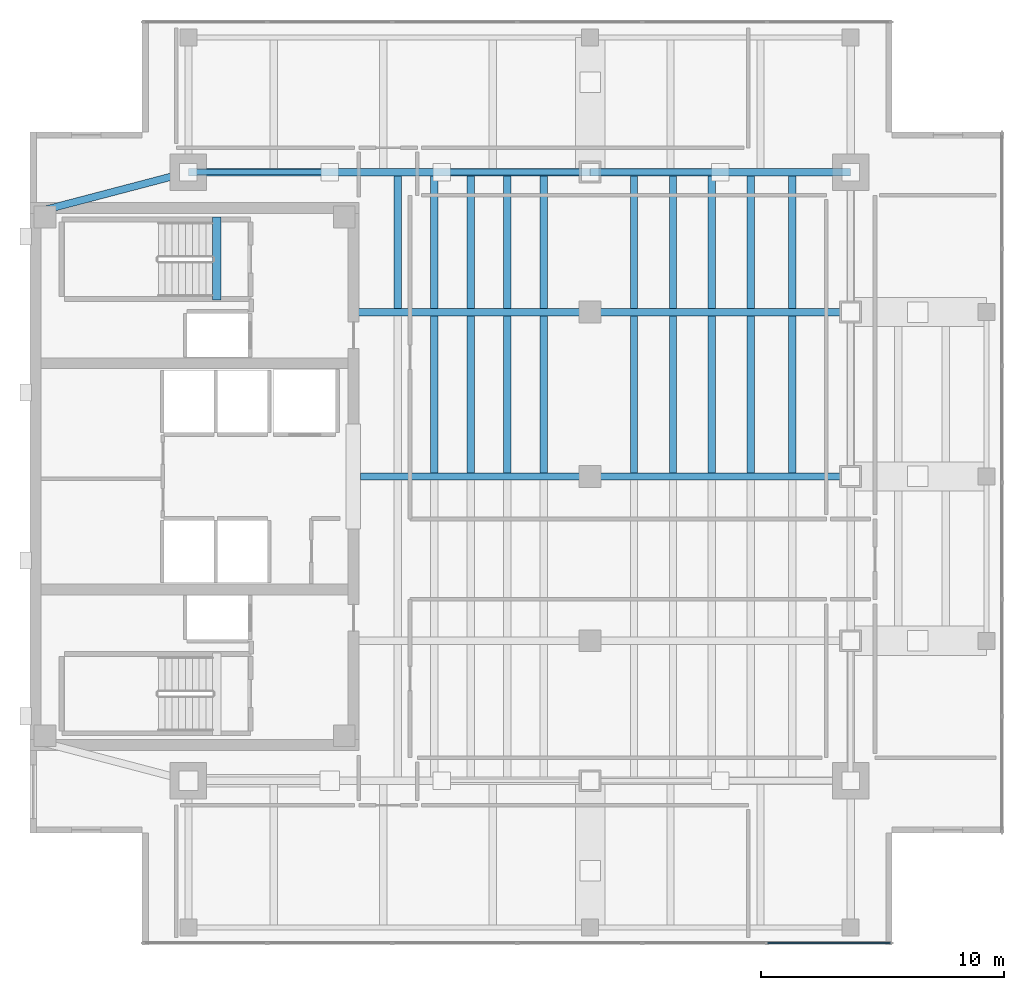
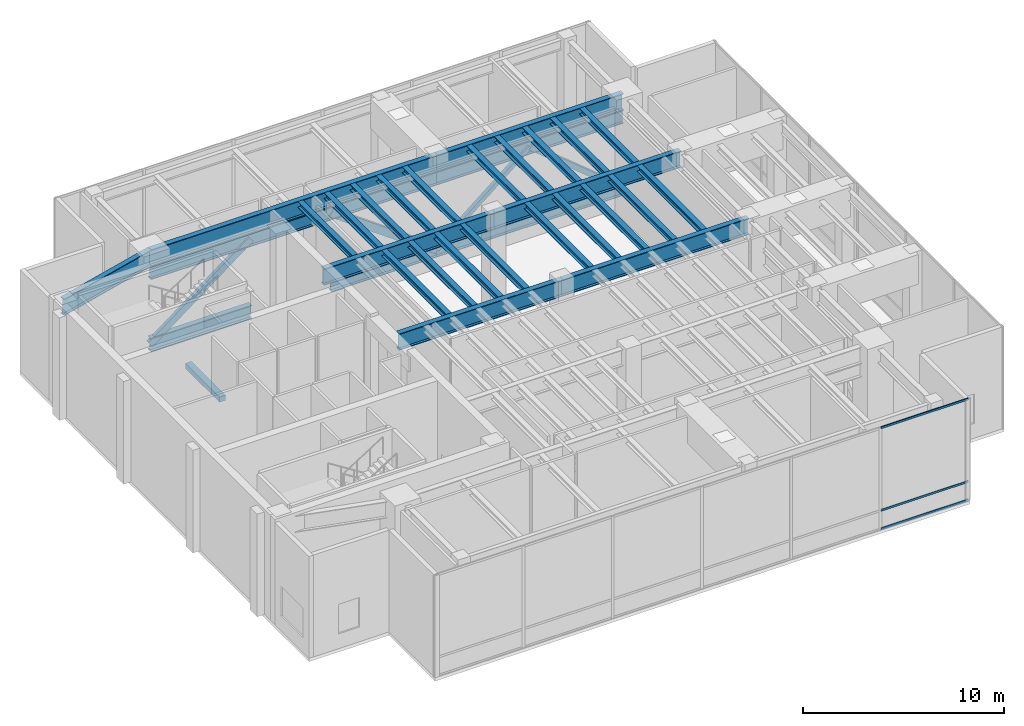
# One storey, part 4 of 11: 27 beams, 12 members, 1 element without a shape of its own.
"""IFC4 building model written with IfcOpenShell, lengths in metres."""

from ifc_helpers import new_model, si_unit, direction, frame, origin, origin_2d, place, context, subcontext, project, spatial, rectangle, hollow_rectangle, i_section, extrude, material, layer, layer_set, material_profile, profile_set, type_object, element, aggregate, save


model = new_model("IFC4")

# Units and contexts
model_context = context("Model", 3, precision=1e-05, world=origin(), true_north=direction((0.0, 1.0)))
body_context = subcontext(model_context, "Body", "Model", "MODEL_VIEW")
ifc_project = project(units=[si_unit("LENGTHUNIT", "METRE"), si_unit("AREAUNIT", "SQUARE_METRE"), si_unit("VOLUMEUNIT", "CUBIC_METRE"), si_unit("PLANEANGLEUNIT", "RADIAN"), si_unit("MASSUNIT", "GRAM", prefix="KILO")], contexts=[model_context])

# Site, building, storey
site_placement = place(None, origin())
site = spatial("IfcSite", under=ifc_project, at=site_placement, CompositionType="ELEMENT")
building_placement = place(site_placement, origin())
building = spatial("IfcBuilding", under=site, at=building_placement, Name="Kinhvarn Gate Tower", CompositionType="ELEMENT")
storey_placement = place(building_placement, frame((0.0, 0.0, 296.64990234375)))
storey = spatial("IfcBuildingStorey", under=building, at=storey_placement, Name="L79", CompositionType="ELEMENT", Elevation=296.64990234375)

# Beams
ifc_material_1 = material(Name="Steel S355", Category="steel")
ifc_material_profile_1 = material_profile(ifc_material_1, i_section(OverallWidth=0.300048828125, OverallDepth=1.0, WebThickness=0.01904296875, FlangeThickness=0.035888671875, at=origin_2d()), Name="HEB 1000")
ifc_profile_set_1 = profile_set([ifc_material_profile_1], Name="Steel S355")
beam_type_1 = type_object("IfcBeamType", Name="BM-HEB1000", PredefinedType="BEAM", material=ifc_profile_set_1)
beam_1_placement = place(storey_placement, frame((11.0, 37.75, 5.7001953125), z_axis=(1.0, 0.0, 0.0), x_axis=(0.0, 1.0, 0.0)))
element("IfcBeam", 1, at=beam_1_placement, inside=storey, type_object=beam_type_1, Name="Floor Beam HG-21 (L79 MG-N1)", PredefinedType="BEAM", context=body_context, shape_type="SweptSolid", body=[
    extrude(i_section(OverallWidth=0.300048828125, OverallDepth=1.0, WebThickness=0.01904296875, FlangeThickness=0.035888671875, at=origin_2d()), origin(), (0.0, 0.0, 1.0), 16.5),
])
beam_2_placement = place(storey_placement, frame((27.5, 37.75, 5.7001953125), z_axis=(1.0, 0.0, 0.0), x_axis=(0.0, 1.0, 0.0)))
element("IfcBeam", 2, at=beam_2_placement, inside=storey, type_object=beam_type_1, Name="Floor Beam HG-21 (L79 MG-N2)", PredefinedType="BEAM", context=body_context, shape_type="SweptSolid", body=[
    extrude(i_section(OverallWidth=0.300048828125, OverallDepth=1.0, WebThickness=0.01904296875, FlangeThickness=0.035888671875, at=origin_2d()), origin(), (0.0, 0.0, 1.0), 10.699951171875),
])
beam_3_placement = place(storey_placement, frame((5.10009765625, 36.199951171875, 5.7001953125), z_axis=(0.967177623957, 0.254101246979, 0.0), x_axis=(-0.254101246979, 0.967177623957, 0.0)))
element("IfcBeam", 3, at=beam_3_placement, inside=storey, type_object=beam_type_1, Name="Floor Beam HG-21 (L79 MG-NW-DIAG)", PredefinedType="BEAM", context=body_context, shape_type="SweptSolid", body=[
    extrude(i_section(OverallWidth=0.300048828125, OverallDepth=1.0, WebThickness=0.01904296875, FlangeThickness=0.035888671875, at=origin_2d()), origin(), (0.0, 0.0, 1.0), 6.10009765625),
])
beam_4_placement = place(storey_placement, frame((18.074951171875, 25.25, 5.7001953125), z_axis=(1.0, 0.0, 0.0), x_axis=(0.0, 1.0, 0.0)))
element("IfcBeam", 4, at=beam_4_placement, inside=storey, type_object=beam_type_1, Name="Floor Beam HG-21 (L79 EW1A-Y25)", PredefinedType="BEAM", context=body_context, shape_type="SweptSolid", body=[
    extrude(i_section(OverallWidth=0.300048828125, OverallDepth=1.0, WebThickness=0.01904296875, FlangeThickness=0.035888671875, at=origin_2d()), origin(), (0.0, 0.0, 1.0), 9.425048828125),
])
beam_5_placement = place(storey_placement, frame((27.5, 25.25, 5.7001953125), z_axis=(1.0, 0.0, 0.0), x_axis=(0.0, 1.0, 0.0)))
element("IfcBeam", 5, at=beam_5_placement, inside=storey, type_object=beam_type_1, Name="Floor Beam HG-21 (L79 EW1B-Y25)", PredefinedType="BEAM", context=body_context, shape_type="SweptSolid", body=[
    extrude(i_section(OverallWidth=0.300048828125, OverallDepth=1.0, WebThickness=0.01904296875, FlangeThickness=0.035888671875, at=origin_2d()), origin(), (0.0, 0.0, 1.0), 10.699951171875),
])
beam_6_placement = place(storey_placement, frame((17.64990234375, 32.0, 5.7001953125), z_axis=(1.0, 0.0, 0.0), x_axis=(0.0, 1.0, 0.0)))
element("IfcBeam", 6, at=beam_6_placement, inside=storey, type_object=beam_type_1, Name="Floor Beam HG-21 (L79 EW1A-Y32)", PredefinedType="BEAM", context=body_context, shape_type="SweptSolid", body=[
    extrude(i_section(OverallWidth=0.300048828125, OverallDepth=1.0, WebThickness=0.01904296875, FlangeThickness=0.035888671875, at=origin_2d()), origin(), (0.0, 0.0, 1.0), 9.85009765625),
])
beam_7_placement = place(storey_placement, frame((27.5, 32.0, 5.7001953125), z_axis=(1.0, 0.0, 0.0), x_axis=(0.0, 1.0, 0.0)))
element("IfcBeam", 7, at=beam_7_placement, inside=storey, type_object=beam_type_1, Name="Floor Beam HG-21 (L79 EW1B-Y32)", PredefinedType="BEAM", context=body_context, shape_type="SweptSolid", body=[
    extrude(i_section(OverallWidth=0.300048828125, OverallDepth=1.0, WebThickness=0.01904296875, FlangeThickness=0.035888671875, at=origin_2d()), origin(), (0.0, 0.0, 1.0), 10.699951171875),
])
ifc_material_2 = material(Name="Concrete C50/60", Category="concrete")
ifc_material_profile_2 = material_profile(ifc_material_2, rectangle(XDim=0.340087890625, YDim=0.320068359375, at=origin_2d()), Name="RC 340x320")
ifc_profile_set_2 = profile_set([ifc_material_profile_2], Name="Concrete C50/60")
beam_type_2 = type_object("IfcBeamType", Name="BM-LND-500", PredefinedType="BEAM", material=ifc_profile_set_2)
beam_8_placement = place(storey_placement, frame((12.1650390625, 32.5, -0.159912109375), z_axis=(0.0, 1.0, 0.0), x_axis=(-1.0, 0.0, 0.0)))
element("IfcBeam", 8, at=beam_8_placement, inside=storey, type_object=beam_type_2, Name="Stair ST2 Landing Nosing Beam (L79)", PredefinedType="BEAM", context=body_context, shape_type="SweptSolid", body=[
    extrude(rectangle(XDim=0.340087890625, YDim=0.320068359375, at=origin_2d()), origin(), (0.0, 0.0, 1.0), 3.39990234375),
])

# Curtain wall, members
ifc_material_3 = material(Name="Anodised aluminium AW-6063", Category="aluminium")
ifc_layer = layer(ifc_material_3, 0.199951171875)
ifc_layer_set = layer_set([ifc_layer], Name="Anodised aluminium AW-6063")
curtain_wall_type = type_object("IfcCurtainWallType", Name="CW-SYS-6", PredefinedType="NOTDEFINED", material=ifc_layer_set)
curtain_wall_placement = place(storey_placement, origin())
curtain_wall = element("IfcCurtainWall", 9, at=curtain_wall_placement, inside=storey, type_object=curtain_wall_type, Name="Curtain Wall CW6 (L79)", PredefinedType="NOTDEFINED")
ifc_material_profile_3 = material_profile(ifc_material_3, rectangle(XDim=0.06494140625, YDim=0.1201171875, at=origin_2d()), Name="ALU 65x120")
ifc_profile_set_3 = profile_set([ifc_material_profile_3], Name="Anodised aluminium AW-6063")
member_type_1 = type_object("IfcMemberType", Name="CW-TRN-120", PredefinedType="USERDEFINED", material=ifc_profile_set_3)
member_1_placement = place(storey_placement, frame((34.799072265625, 6.090087890625, 0.03271484375), z_axis=(1.0, 0.0, 0.0), x_axis=(0.0, 1.0, 0.0)))
member_1 = element("IfcMember", 10, at=member_1_placement, type_object=member_type_1, Name="CW6 transom 6.1", ObjectType="TRANSOM", PredefinedType="USERDEFINED", context=body_context, shape_type="SweptSolid", body=[
    extrude(rectangle(XDim=0.06494140625, YDim=0.1201171875, at=origin_2d()), origin(), (0.0, 0.0, 1.0), 5.035888671875),
])
member_2_placement = place(storey_placement, frame((34.799072265625, 6.090087890625, 1.150146484375), z_axis=(1.0, 0.0, 0.0), x_axis=(0.0, 1.0, 0.0)))
member_2 = element("IfcMember", 11, at=member_2_placement, type_object=member_type_1, Name="CW6 transom 6.2", ObjectType="TRANSOM", PredefinedType="USERDEFINED", context=body_context, shape_type="SweptSolid", body=[
    extrude(rectangle(XDim=0.06494140625, YDim=0.1201171875, at=origin_2d()), origin(), (0.0, 0.0, 1.0), 5.035888671875),
])
member_3_placement = place(storey_placement, frame((34.799072265625, 6.090087890625, 6.16748046875), z_axis=(1.0, 0.0, 0.0), x_axis=(0.0, 1.0, 0.0)))
member_3 = element("IfcMember", 12, at=member_3_placement, type_object=member_type_1, Name="CW6 transom 6.3", ObjectType="TRANSOM", PredefinedType="USERDEFINED", context=body_context, shape_type="SweptSolid", body=[
    extrude(rectangle(XDim=0.06494140625, YDim=0.1201171875, at=origin_2d()), origin(), (0.0, 0.0, 1.0), 5.035888671875),
])
aggregate(curtain_wall, [member_1, member_2, member_3])

# Members
ifc_material_profile_4 = material_profile(ifc_material_1, hollow_rectangle(XDim=0.199951171875, YDim=0.39990234375, WallThickness=0.01611328125, at=origin_2d()), Name="RHS 400x200x16")
ifc_profile_set_4 = profile_set([ifc_material_profile_4], Name="Steel S355")
member_type_2 = type_object("IfcMemberType", Name="MBR-RHS400x200x16", PredefinedType="BRACE", material=ifc_profile_set_4)
member_4_placement = place(storey_placement, frame((11.0, 37.75, 0.406982421875), z_axis=(0.797604570985, 0.0, 0.603180692946), x_axis=(0.0, 1.0, 0.0)))
element("IfcMember", 13, at=member_4_placement, inside=storey, type_object=member_type_2, Name="Outrigger Truss Diagonal BR-04 (RHS 400x200x16)", PredefinedType="BRACE", context=body_context, shape_type="SweptSolid", body=[
    extrude(hollow_rectangle(XDim=0.199951171875, YDim=0.39990234375, WallThickness=0.01611328125, at=origin_2d()), origin(), (0.0, 0.0, 1.0), 7.271728515625),
])
ifc_material_profile_5 = material_profile(ifc_material_1, hollow_rectangle(XDim=0.25, YDim=0.449951171875, WallThickness=0.01611328125, at=origin_2d()), Name="RHS 450x250x16")
ifc_profile_set_5 = profile_set([ifc_material_profile_5], Name="Steel S355")
member_type_3 = type_object("IfcMemberType", Name="MBR-RHS450x250x16", PredefinedType="BRACE", material=ifc_profile_set_5)
member_5_placement = place(storey_placement, frame((21.39990234375, 37.75, 4.793212890625), z_axis=(0.811902745566, 0.0, -0.583792712992), x_axis=(0.0, 1.0, 0.0)))
element("IfcMember", 14, at=member_5_placement, inside=storey, type_object=member_type_3, Name="Outrigger Truss Diagonal BR-05 (RHS 450x250x16)", PredefinedType="BRACE", context=body_context, shape_type="SweptSolid", body=[
    extrude(hollow_rectangle(XDim=0.25, YDim=0.449951171875, WallThickness=0.01611328125, at=origin_2d()), origin(), (0.0, 0.0, 1.0), 7.513427734375),
])
ifc_material_profile_6 = material_profile(ifc_material_1, hollow_rectangle(XDim=0.25, YDim=0.25, WallThickness=0.011962890625, at=origin_2d()), Name="SHS 250x250x12")
ifc_profile_set_6 = profile_set([ifc_material_profile_6], Name="Steel S355")
member_type_4 = type_object("IfcMemberType", Name="MBR-SHS250x250x12", PredefinedType="BRACE", material=ifc_profile_set_6)
member_6_placement = place(storey_placement, frame((27.5, 37.75, 0.406982421875), z_axis=(0.773328000668, 0.0, 0.634006154057), x_axis=(0.0, 1.0, 0.0)))
element("IfcMember", 15, at=member_6_placement, inside=storey, type_object=member_type_4, Name="Outrigger Truss Diagonal BR-06 (SHS 250x250x12)", PredefinedType="BRACE", context=body_context, shape_type="SweptSolid", body=[
    extrude(hollow_rectangle(XDim=0.25, YDim=0.25, WallThickness=0.011962890625, at=origin_2d()), origin(), (0.0, 0.0, 1.0), 6.918212890625),
])
ifc_material_profile_7 = material_profile(ifc_material_1, hollow_rectangle(XDim=0.300048828125, YDim=0.300048828125, WallThickness=0.01611328125, at=origin_2d()), Name="SHS 300x300x16")
ifc_profile_set_7 = profile_set([ifc_material_profile_7], Name="Steel S355")
member_type_5 = type_object("IfcMemberType", Name="MBR-SHS300x300x16", PredefinedType="BRACE", material=ifc_profile_set_7)
member_7_placement = place(storey_placement, frame((32.85009765625, 37.75, 4.793212890625), z_axis=(0.773313815098, 0.0, -0.634023456489), x_axis=(0.0, 1.0, 0.0)))
element("IfcMember", 16, at=member_7_placement, inside=storey, type_object=member_type_5, Name="Outrigger Truss Diagonal BR-07 (SHS 300x300x16)", PredefinedType="BRACE", context=body_context, shape_type="SweptSolid", body=[
    extrude(hollow_rectangle(XDim=0.300048828125, YDim=0.300048828125, WallThickness=0.01611328125, at=origin_2d()), origin(), (0.0, 0.0, 1.0), 6.91796875),
])

# Beams
ifc_material_profile_8 = material_profile(ifc_material_1, i_section(OverallWidth=0.300048828125, OverallDepth=0.360107421875, WebThickness=0.012451171875, FlangeThickness=0.0224609375, at=origin_2d()), Name="HEB 360")
ifc_profile_set_8 = profile_set([ifc_material_profile_8], Name="Steel S355")
beam_type_3 = type_object("IfcBeamType", Name="STL-HEB360", PredefinedType="BEAM", material=ifc_profile_set_8)
beam_9_placement = place(storey_placement, frame((19.60009765625, 32.14990234375, 6.02001953125), z_axis=(0.0, 1.0, 0.0), x_axis=(-1.0, 0.0, 0.0)))
element("IfcBeam", 17, at=beam_9_placement, inside=storey, type_object=beam_type_3, Name="Floor Beam PG-11 (L79 JC-X196-3)", PredefinedType="BEAM", context=body_context, shape_type="SweptSolid", body=[
    extrude(i_section(OverallWidth=0.300048828125, OverallDepth=0.360107421875, WebThickness=0.012451171875, FlangeThickness=0.0224609375, at=origin_2d()), origin(), (0.0, 0.0, 1.0), 5.4501953125),
])
beam_10_placement = place(storey_placement, frame((21.10009765625, 25.39990234375, 6.02001953125), z_axis=(0.0, 1.0, 0.0), x_axis=(-1.0, 0.0, 0.0)))
element("IfcBeam", 18, at=beam_10_placement, inside=storey, type_object=beam_type_3, Name="Floor Beam PG-11 (L79 JC-X211-2)", PredefinedType="BEAM", context=body_context, shape_type="SweptSolid", body=[
    extrude(i_section(OverallWidth=0.300048828125, OverallDepth=0.360107421875, WebThickness=0.012451171875, FlangeThickness=0.0224609375, at=origin_2d()), origin(), (0.0, 0.0, 1.0), 6.4501953125),
])
beam_11_placement = place(storey_placement, frame((21.10009765625, 32.14990234375, 6.02001953125), z_axis=(0.0, 1.0, 0.0), x_axis=(-1.0, 0.0, 0.0)))
element("IfcBeam", 19, at=beam_11_placement, inside=storey, type_object=beam_type_3, Name="Floor Beam PG-11 (L79 JC-X211-3)", PredefinedType="BEAM", context=body_context, shape_type="SweptSolid", body=[
    extrude(i_section(OverallWidth=0.300048828125, OverallDepth=0.360107421875, WebThickness=0.012451171875, FlangeThickness=0.0224609375, at=origin_2d()), origin(), (0.0, 0.0, 1.0), 5.4501953125),
])
beam_12_placement = place(storey_placement, frame((22.60009765625, 25.39990234375, 6.02001953125), z_axis=(0.0, 1.0, 0.0), x_axis=(-1.0, 0.0, 0.0)))
element("IfcBeam", 20, at=beam_12_placement, inside=storey, type_object=beam_type_3, Name="Floor Beam PG-11 (L79 JC-X226-2)", PredefinedType="BEAM", context=body_context, shape_type="SweptSolid", body=[
    extrude(i_section(OverallWidth=0.300048828125, OverallDepth=0.360107421875, WebThickness=0.012451171875, FlangeThickness=0.0224609375, at=origin_2d()), origin(), (0.0, 0.0, 1.0), 6.4501953125),
])
beam_13_placement = place(storey_placement, frame((22.60009765625, 32.14990234375, 6.02001953125), z_axis=(0.0, 1.0, 0.0), x_axis=(-1.0, 0.0, 0.0)))
element("IfcBeam", 21, at=beam_13_placement, inside=storey, type_object=beam_type_3, Name="Floor Beam PG-11 (L79 JC-X226-3)", PredefinedType="BEAM", context=body_context, shape_type="SweptSolid", body=[
    extrude(i_section(OverallWidth=0.300048828125, OverallDepth=0.360107421875, WebThickness=0.012451171875, FlangeThickness=0.0224609375, at=origin_2d()), origin(), (0.0, 0.0, 1.0), 5.4501953125),
])
beam_14_placement = place(storey_placement, frame((24.10009765625, 25.39990234375, 6.02001953125), z_axis=(0.0, 1.0, 0.0), x_axis=(-1.0, 0.0, 0.0)))
element("IfcBeam", 22, at=beam_14_placement, inside=storey, type_object=beam_type_3, Name="Floor Beam PG-11 (L79 JC-X241-2)", PredefinedType="BEAM", context=body_context, shape_type="SweptSolid", body=[
    extrude(i_section(OverallWidth=0.300048828125, OverallDepth=0.360107421875, WebThickness=0.012451171875, FlangeThickness=0.0224609375, at=origin_2d()), origin(), (0.0, 0.0, 1.0), 6.4501953125),
])
beam_15_placement = place(storey_placement, frame((24.10009765625, 32.14990234375, 6.02001953125), z_axis=(0.0, 1.0, 0.0), x_axis=(-1.0, 0.0, 0.0)))
element("IfcBeam", 23, at=beam_15_placement, inside=storey, type_object=beam_type_3, Name="Floor Beam PG-11 (L79 JC-X241-3)", PredefinedType="BEAM", context=body_context, shape_type="SweptSolid", body=[
    extrude(i_section(OverallWidth=0.300048828125, OverallDepth=0.360107421875, WebThickness=0.012451171875, FlangeThickness=0.0224609375, at=origin_2d()), origin(), (0.0, 0.0, 1.0), 5.4501953125),
])
beam_16_placement = place(storey_placement, frame((25.60009765625, 25.39990234375, 6.02001953125), z_axis=(0.0, 1.0, 0.0), x_axis=(-1.0, 0.0, 0.0)))
element("IfcBeam", 24, at=beam_16_placement, inside=storey, type_object=beam_type_3, Name="Floor Beam PG-11 (L79 JC-X256-2)", PredefinedType="BEAM", context=body_context, shape_type="SweptSolid", body=[
    extrude(i_section(OverallWidth=0.300048828125, OverallDepth=0.360107421875, WebThickness=0.012451171875, FlangeThickness=0.0224609375, at=origin_2d()), origin(), (0.0, 0.0, 1.0), 6.4501953125),
])
beam_17_placement = place(storey_placement, frame((25.60009765625, 32.14990234375, 6.02001953125), z_axis=(0.0, 1.0, 0.0), x_axis=(-1.0, 0.0, 0.0)))
element("IfcBeam", 25, at=beam_17_placement, inside=storey, type_object=beam_type_3, Name="Floor Beam PG-11 (L79 JC-X256-3)", PredefinedType="BEAM", context=body_context, shape_type="SweptSolid", body=[
    extrude(i_section(OverallWidth=0.300048828125, OverallDepth=0.360107421875, WebThickness=0.012451171875, FlangeThickness=0.0224609375, at=origin_2d()), origin(), (0.0, 0.0, 1.0), 5.4501953125),
])
beam_18_placement = place(storey_placement, frame((29.300048828125, 25.39990234375, 6.02001953125), z_axis=(0.0, 1.0, 0.0), x_axis=(-1.0, 0.0, 0.0)))
element("IfcBeam", 26, at=beam_18_placement, inside=storey, type_object=beam_type_3, Name="Floor Beam PG-11 (L79 JC-X293-2)", PredefinedType="BEAM", context=body_context, shape_type="SweptSolid", body=[
    extrude(i_section(OverallWidth=0.300048828125, OverallDepth=0.360107421875, WebThickness=0.012451171875, FlangeThickness=0.0224609375, at=origin_2d()), origin(), (0.0, 0.0, 1.0), 6.4501953125),
])
beam_19_placement = place(storey_placement, frame((29.300048828125, 32.14990234375, 6.02001953125), z_axis=(0.0, 1.0, 0.0), x_axis=(-1.0, 0.0, 0.0)))
element("IfcBeam", 27, at=beam_19_placement, inside=storey, type_object=beam_type_3, Name="Floor Beam PG-11 (L79 JC-X293-3)", PredefinedType="BEAM", context=body_context, shape_type="SweptSolid", body=[
    extrude(i_section(OverallWidth=0.300048828125, OverallDepth=0.360107421875, WebThickness=0.012451171875, FlangeThickness=0.0224609375, at=origin_2d()), origin(), (0.0, 0.0, 1.0), 5.4501953125),
])
beam_20_placement = place(storey_placement, frame((30.89990234375, 25.39990234375, 6.02001953125), z_axis=(0.0, 1.0, 0.0), x_axis=(-1.0, 0.0, 0.0)))
element("IfcBeam", 28, at=beam_20_placement, inside=storey, type_object=beam_type_3, Name="Floor Beam PG-11 (L79 JC-X309-2)", PredefinedType="BEAM", context=body_context, shape_type="SweptSolid", body=[
    extrude(i_section(OverallWidth=0.300048828125, OverallDepth=0.360107421875, WebThickness=0.012451171875, FlangeThickness=0.0224609375, at=origin_2d()), origin(), (0.0, 0.0, 1.0), 6.4501953125),
])
beam_21_placement = place(storey_placement, frame((30.89990234375, 32.14990234375, 6.02001953125), z_axis=(0.0, 1.0, 0.0), x_axis=(-1.0, 0.0, 0.0)))
element("IfcBeam", 29, at=beam_21_placement, inside=storey, type_object=beam_type_3, Name="Floor Beam PG-11 (L79 JC-X309-3)", PredefinedType="BEAM", context=body_context, shape_type="SweptSolid", body=[
    extrude(i_section(OverallWidth=0.300048828125, OverallDepth=0.360107421875, WebThickness=0.012451171875, FlangeThickness=0.0224609375, at=origin_2d()), origin(), (0.0, 0.0, 1.0), 5.4501953125),
])
beam_22_placement = place(storey_placement, frame((32.5, 25.39990234375, 6.02001953125), z_axis=(0.0, 1.0, 0.0), x_axis=(-1.0, 0.0, 0.0)))
element("IfcBeam", 30, at=beam_22_placement, inside=storey, type_object=beam_type_3, Name="Floor Beam PG-11 (L79 JC-X325-2)", PredefinedType="BEAM", context=body_context, shape_type="SweptSolid", body=[
    extrude(i_section(OverallWidth=0.300048828125, OverallDepth=0.360107421875, WebThickness=0.012451171875, FlangeThickness=0.0224609375, at=origin_2d()), origin(), (0.0, 0.0, 1.0), 6.4501953125),
])
beam_23_placement = place(storey_placement, frame((32.5, 32.14990234375, 6.02001953125), z_axis=(0.0, 1.0, 0.0), x_axis=(-1.0, 0.0, 0.0)))
element("IfcBeam", 31, at=beam_23_placement, inside=storey, type_object=beam_type_3, Name="Floor Beam PG-11 (L79 JC-X325-3)", PredefinedType="BEAM", context=body_context, shape_type="SweptSolid", body=[
    extrude(i_section(OverallWidth=0.300048828125, OverallDepth=0.360107421875, WebThickness=0.012451171875, FlangeThickness=0.0224609375, at=origin_2d()), origin(), (0.0, 0.0, 1.0), 5.4501953125),
])
beam_24_placement = place(storey_placement, frame((34.10009765625, 25.39990234375, 6.02001953125), z_axis=(0.0, 1.0, 0.0), x_axis=(-1.0, 0.0, 0.0)))
element("IfcBeam", 32, at=beam_24_placement, inside=storey, type_object=beam_type_3, Name="Floor Beam PG-11 (L79 JC-X341-2)", PredefinedType="BEAM", context=body_context, shape_type="SweptSolid", body=[
    extrude(i_section(OverallWidth=0.300048828125, OverallDepth=0.360107421875, WebThickness=0.012451171875, FlangeThickness=0.0224609375, at=origin_2d()), origin(), (0.0, 0.0, 1.0), 6.4501953125),
])
beam_25_placement = place(storey_placement, frame((34.10009765625, 32.14990234375, 6.02001953125), z_axis=(0.0, 1.0, 0.0), x_axis=(-1.0, 0.0, 0.0)))
element("IfcBeam", 33, at=beam_25_placement, inside=storey, type_object=beam_type_3, Name="Floor Beam PG-11 (L79 JC-X341-3)", PredefinedType="BEAM", context=body_context, shape_type="SweptSolid", body=[
    extrude(i_section(OverallWidth=0.300048828125, OverallDepth=0.360107421875, WebThickness=0.012451171875, FlangeThickness=0.0224609375, at=origin_2d()), origin(), (0.0, 0.0, 1.0), 5.4501953125),
])
beam_26_placement = place(storey_placement, frame((35.800048828125, 25.39990234375, 6.02001953125), z_axis=(0.0, 1.0, 0.0), x_axis=(-1.0, 0.0, 0.0)))
element("IfcBeam", 34, at=beam_26_placement, inside=storey, type_object=beam_type_3, Name="Floor Beam PG-11 (L79 JC-X358-2)", PredefinedType="BEAM", context=body_context, shape_type="SweptSolid", body=[
    extrude(i_section(OverallWidth=0.300048828125, OverallDepth=0.360107421875, WebThickness=0.012451171875, FlangeThickness=0.0224609375, at=origin_2d()), origin(), (0.0, 0.0, 1.0), 6.4501953125),
])
beam_27_placement = place(storey_placement, frame((35.800048828125, 32.14990234375, 6.02001953125), z_axis=(0.0, 1.0, 0.0), x_axis=(-1.0, 0.0, 0.0)))
element("IfcBeam", 35, at=beam_27_placement, inside=storey, type_object=beam_type_3, Name="Floor Beam PG-11 (L79 JC-X358-3)", PredefinedType="BEAM", context=body_context, shape_type="SweptSolid", body=[
    extrude(i_section(OverallWidth=0.300048828125, OverallDepth=0.360107421875, WebThickness=0.012451171875, FlangeThickness=0.0224609375, at=origin_2d()), origin(), (0.0, 0.0, 1.0), 5.4501953125),
])

# Members
ifc_material_profile_9 = material_profile(ifc_material_1, i_section(OverallWidth=0.302978515625, OverallDepth=0.81396484375, WebThickness=0.02099609375, FlangeThickness=0.0400390625, at=origin_2d()), Name="HEM 800")
ifc_profile_set_9 = profile_set([ifc_material_profile_9], Name="Steel S355")
member_type_6 = type_object("IfcMemberType", Name="STL-HEM800", PredefinedType="CHORD", material=ifc_profile_set_9)
member_8_placement = place(storey_placement, frame((11.0, 37.75, 0.406982421875), z_axis=(1.0, 0.0, 0.0), x_axis=(0.0, 1.0, 0.0)))
element("IfcMember", 36, at=member_8_placement, inside=storey, type_object=member_type_6, Name="Outrigger Belt Chord BC-22 (L79 OUT-N1A-BOT)", PredefinedType="CHORD", context=body_context, shape_type="SweptSolid", body=[
    extrude(i_section(OverallWidth=0.302978515625, OverallDepth=0.81396484375, WebThickness=0.02099609375, FlangeThickness=0.0400390625, at=origin_2d()), origin(), (0.0, 0.0, 1.0), 5.800048828125),
])
member_9_placement = place(storey_placement, frame((21.39990234375, 37.75, 0.406982421875), z_axis=(1.0, 0.0, 0.0), x_axis=(0.0, 1.0, 0.0)))
element("IfcMember", 37, at=member_9_placement, inside=storey, type_object=member_type_6, Name="Outrigger Belt Chord BC-22 (L79 OUT-N1B-BOT)", PredefinedType="CHORD", context=body_context, shape_type="SweptSolid", body=[
    extrude(i_section(OverallWidth=0.302978515625, OverallDepth=0.81396484375, WebThickness=0.02099609375, FlangeThickness=0.0400390625, at=origin_2d()), origin(), (0.0, 0.0, 1.0), 6.10009765625),
])
member_10_placement = place(storey_placement, frame((27.5, 37.75, 0.406982421875), z_axis=(1.0, 0.0, 0.0), x_axis=(0.0, 1.0, 0.0)))
element("IfcMember", 38, at=member_10_placement, inside=storey, type_object=member_type_6, Name="Outrigger Belt Chord BC-22 (L79 OUT-N2-BOT)", PredefinedType="CHORD", context=body_context, shape_type="SweptSolid", body=[
    extrude(i_section(OverallWidth=0.302978515625, OverallDepth=0.81396484375, WebThickness=0.02099609375, FlangeThickness=0.0400390625, at=origin_2d()), origin(), (0.0, 0.0, 1.0), 10.699951171875),
])
member_11_placement = place(storey_placement, frame((11.0, 37.75, 4.793212890625), z_axis=(1.0, 0.0, 0.0), x_axis=(0.0, 1.0, 0.0)))
element("IfcMember", 39, at=member_11_placement, inside=storey, type_object=member_type_6, Name="Outrigger Belt Chord BC-22 (L79 OUT-N1-TOP)", PredefinedType="CHORD", context=body_context, shape_type="SweptSolid", body=[
    extrude(i_section(OverallWidth=0.302978515625, OverallDepth=0.81396484375, WebThickness=0.02099609375, FlangeThickness=0.0400390625, at=origin_2d()), origin(), (0.0, 0.0, 1.0), 16.5),
])
member_12_placement = place(storey_placement, frame((27.5, 37.75, 4.793212890625), z_axis=(1.0, 0.0, 0.0), x_axis=(0.0, 1.0, 0.0)))
element("IfcMember", 40, at=member_12_placement, inside=storey, type_object=member_type_6, Name="Outrigger Belt Chord BC-22 (L79 OUT-N2-TOP)", PredefinedType="CHORD", context=body_context, shape_type="SweptSolid", body=[
    extrude(i_section(OverallWidth=0.302978515625, OverallDepth=0.81396484375, WebThickness=0.02099609375, FlangeThickness=0.0400390625, at=origin_2d()), origin(), (0.0, 0.0, 1.0), 10.699951171875),
])

save(model, "model.ifc")
